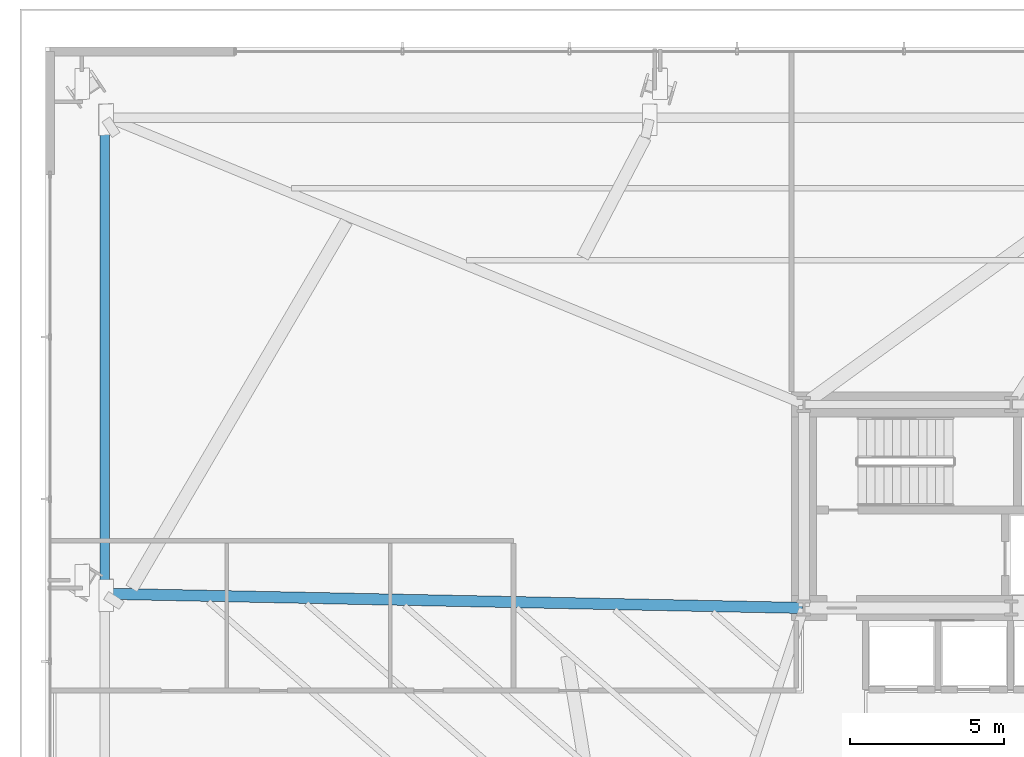
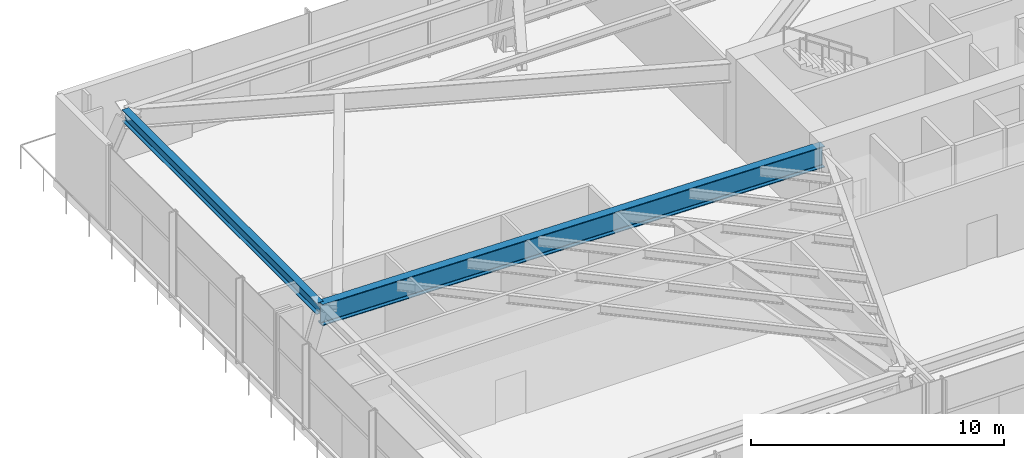
# One storey, part 9 of 36: 2 beams.
"""IFC4 building model written with IfcOpenShell, lengths in metres."""

import ifcopenshell
import ifcopenshell.guid

model = None  # the IFC model being written
_history = None  # IfcOwnerHistory: only IFC2X3 demands one
_inside = {}  # id of a spatial element -> (the spatial element, [elements in it])
_under = {}  # id of a project, library or spatial element -> (it, [spatial elements below it])
_declared = {}  # id of a project -> (the project, [libraries it declares])
_typed = {}  # id of a type object -> (the type object, [elements of that type])
_made_of = {}  # id of a material, layer set ... -> (it, [elements and type objects made of it])


def new_model(schema):
    """Start an empty IFC model of exactly this schema.

    Asked for "IFC4X3", IfcOpenShell would pick the latest addendum, in which some entities
    have other attributes; the version numbers below select the first issue.
    IFC2X3 requires an IfcOwnerHistory on every rooted entity: one is made here for all.
    """
    global model, _history
    if schema == "IFC4X3":
        model = ifcopenshell.file(schema_version=(4, 3, 0, 0))
    else:
        model = ifcopenshell.file(schema=schema)
    _inside.clear()
    _under.clear()
    _declared.clear()
    _typed.clear()
    _made_of.clear()
    _history = None
    if model.schema == "IFC2X3":
        org = make("IfcOrganization", Name="unknown")
        user = make(
            "IfcPersonAndOrganization",
            ThePerson=make("IfcPerson", FamilyName="unknown"),
            TheOrganization=org,
        )
        app = make(
            "IfcApplication",
            ApplicationDeveloper=org,
            Version="unknown",
            ApplicationFullName="unknown",
            ApplicationIdentifier="unknown",
        )
        _history = make(
            "IfcOwnerHistory",
            OwningUser=user,
            OwningApplication=app,
            ChangeAction="ADDED",
            CreationDate=0,
        )
    return model


def make(cls, **values):
    """One entity of the class cls with the attributes given. An attribute that is None is left unset."""
    return model.create_entity(
        cls, **{name: value for name, value in values.items() if value is not None}
    )


def rooted(cls, **values):
    """An entity with a GlobalId (a new one), such as an element, a storey or a relation."""
    return make(cls, GlobalId=ifcopenshell.guid.new(), OwnerHistory=_history, **values)


def si_unit(unit_type, name, prefix=None):
    """IfcSIUnit, for example si_unit("LENGTHUNIT", "METRE", prefix="MILLI")."""
    return make("IfcSIUnit", UnitType=unit_type, Prefix=prefix, Name=name)


def assignment(units):
    """IfcUnitAssignment: the units of a project."""
    return None if units is None else make("IfcUnitAssignment", Units=units)


def point(xyz):
    """IfcCartesianPoint."""
    return None if xyz is None else make("IfcCartesianPoint", Coordinates=xyz)


def direction(xyz):
    """IfcDirection."""
    return None if xyz is None else make("IfcDirection", DirectionRatios=xyz)


def frame(location, z_axis=None, x_axis=None):
    """IfcAxis2Placement3D, a coordinate frame: its origin and axes. An axis left out is left unset."""
    return make(
        "IfcAxis2Placement3D",
        Location=point(location),
        Axis=direction(z_axis),
        RefDirection=direction(x_axis),
    )


def frame_2d(location, x_axis=None):
    """IfcAxis2Placement2D, a coordinate frame in the plane: its origin and x axis."""
    return make(
        "IfcAxis2Placement2D", Location=point(location), RefDirection=direction(x_axis)
    )


def origin():
    """The frame at (0, 0, 0) with its axes left unset."""
    return frame((0.0, 0.0, 0.0))


def origin_2d():
    """The frame at (0, 0) in the plane with its x axis left unset."""
    return frame_2d((0.0, 0.0))


def place(relative_to, where):
    """IfcLocalPlacement: puts the frame where relative to a parent placement (None: the world)."""
    return make(
        "IfcLocalPlacement", PlacementRelTo=relative_to, RelativePlacement=where
    )


def context(
    kind, dimensions, precision=None, world=None, true_north=None, identifier=None
):
    """IfcGeometricRepresentationContext, for example the 3D "Model" context."""
    return make(
        "IfcGeometricRepresentationContext",
        ContextIdentifier=identifier,
        ContextType=kind,
        CoordinateSpaceDimension=dimensions,
        Precision=precision,
        WorldCoordinateSystem=world,
        TrueNorth=true_north,
    )


def subcontext(parent, identifier, kind, view, scale=None):
    """IfcGeometricRepresentationSubContext, for example "Body" below "Model"."""
    return make(
        "IfcGeometricRepresentationSubContext",
        ContextIdentifier=identifier,
        ContextType=kind,
        ParentContext=parent,
        TargetScale=scale,
        TargetView=view,
    )


def project(units=None, contexts=None):
    """IfcProject with its units and contexts."""
    return rooted(
        "IfcProject",
        Name="project",
        RepresentationContexts=contexts,
        UnitsInContext=assignment(units),
    )


def spatial(cls, under=None, at=None, **own):
    """A site, building, storey or space (cls), placed at a placement, below another one or the project."""
    s = rooted(cls, ObjectPlacement=at, **own)
    if under is not None:
        _under.setdefault(under.id(), (under, []))[1].append(s)
    return s


def profile(cls, at=None, kind="AREA", **sizes):
    """A parametric profile (cls). Its sizes go by their IFC names, for example OverallWidth=200.0."""
    return make(cls, ProfileType=kind, Position=at, **sizes)


def i_section(**sizes):
    """IfcIShapeProfileDef."""
    return profile("IfcIShapeProfileDef", **sizes)


def extrude(swept, where, along, depth):
    """IfcExtrudedAreaSolid: the profile swept, set in the frame where, extruded along a direction by depth."""
    return make(
        "IfcExtrudedAreaSolid",
        SweptArea=swept,
        Position=where,
        ExtrudedDirection=direction(along),
        Depth=depth,
    )


def shape(context_of_items, identifier, shape_type, items):
    """IfcShapeRepresentation: the items that make up one representation, for example the "Body"."""
    return make(
        "IfcShapeRepresentation",
        ContextOfItems=context_of_items,
        RepresentationIdentifier=identifier,
        RepresentationType=shape_type,
        Items=items,
    )


def source(mapping_origin, context_of_items, identifier, shape_type, items):
    """IfcRepresentationMap: a shape defined once, which mapped items show again and again."""
    return make(
        "IfcRepresentationMap",
        MappingOrigin=mapping_origin,
        MappedRepresentation=shape(context_of_items, identifier, shape_type, items),
    )


def transform(
    local_origin,
    x_axis=None,
    y_axis=None,
    z_axis=None,
    scale=None,
    scale2=None,
    scale3=None,
    uniform=True,
):
    """IfcCartesianTransformationOperator3D, or its non-uniform kind. x_axis, y_axis, z_axis: its Axis1, 2, 3."""
    if uniform:
        return make(
            "IfcCartesianTransformationOperator3D",
            Axis1=direction(x_axis),
            Axis2=direction(y_axis),
            LocalOrigin=point(local_origin),
            Scale=scale,
            Axis3=direction(z_axis),
        )
    return make(
        "IfcCartesianTransformationOperator3DnonUniform",
        Axis1=direction(x_axis),
        Axis2=direction(y_axis),
        LocalOrigin=point(local_origin),
        Scale=scale,
        Axis3=direction(z_axis),
        Scale2=scale2,
        Scale3=scale3,
    )


def mapped(mapping_source, mapping_target):
    """IfcMappedItem: shows the shape of a source again, moved by a transform."""
    return make(
        "IfcMappedItem", MappingSource=mapping_source, MappingTarget=mapping_target
    )


def material(Name=None, Category=None):
    """IfcMaterial."""
    return make("IfcMaterial", Name=Name, Category=Category)


def material_profile(
    of_material, cross_section, Name=None, Category=None, Priority=None
):
    """IfcMaterialProfile: a cross section and its material."""
    return make(
        "IfcMaterialProfile",
        Name=Name,
        Material=of_material,
        Profile=cross_section,
        Priority=Priority,
        Category=Category,
    )


def profile_set(profiles, Name=None, composite=None):
    """IfcMaterialProfileSet."""
    return make(
        "IfcMaterialProfileSet",
        Name=Name,
        MaterialProfiles=profiles,
        CompositeProfile=composite,
    )


def made_of(thing, what):
    """Note that an element or type object is made of a material, layer set ...; save() writes the relation."""
    if what is not None:
        _made_of.setdefault(what.id(), (what, []))[1].append(thing)
    return thing


def type_object(cls, material=None, **own):
    """A type object (cls), such as IfcWallType, which elements share."""
    return made_of(rooted(cls, **own), material)


def type_shapes(of_type, sources):
    """Give a type object the sources (RepresentationMaps) that its elements show as mapped items."""
    of_type.RepresentationMaps = sources


def element(
    cls,
    number,
    at=None,
    inside=None,
    cuts=None,
    type_object=None,
    material=None,
    context=None,
    identifier="Body",
    shape_type=None,
    held_by="IfcProductDefinitionShape",
    body=None,
    shapes=None,
    **own,
):
    """One element of the class cls, such as IfcWall. Its Tag is "e" and its number.

    at: its placement. inside: the storey or other place that contains it. cuts: it is an
    opening in that element (IfcRelVoidsElement). A single representation is given by context,
    identifier, shape_type and body (its items); several are given by shapes. held_by: the class
    of the entity that holds the representations. save() writes the other relations.
    """
    e = rooted(cls, Tag="e%d" % number, ObjectPlacement=at, **own)
    if body is not None:
        shapes = [shape(context, identifier, shape_type, body)]
    if shapes is not None:
        e.Representation = make(held_by, Representations=shapes)
    if inside is not None:
        _inside.setdefault(inside.id(), (inside, []))[1].append(e)
    if cuts is not None:
        rooted(
            "IfcRelVoidsElement", RelatingBuildingElement=cuts, RelatedOpeningElement=e
        )
    if type_object is not None:
        _typed.setdefault(type_object.id(), (type_object, []))[1].append(e)
    return made_of(e, material)


def aggregate(whole, parts):
    """IfcRelAggregates: a whole, such as a stair, and the parts it consists of."""
    return rooted("IfcRelAggregates", RelatingObject=whole, RelatedObjects=parts)


def save(model, path):
    """Write the relations noted so far, then the file.

    IfcRelAggregates (storeys below a building ...), IfcRelContainedInSpatialStructure (elements
    in a storey), IfcRelDefinesByType, IfcRelAssociatesMaterial and IfcRelDeclares: one each for
    every whole, place, type object, material and project.
    """
    for whole, parts in _under.values():
        aggregate(whole, parts)
    for where, things in _inside.values():
        rooted(
            "IfcRelContainedInSpatialStructure",
            RelatedElements=things,
            RelatingStructure=where,
        )
    for kind, things in _typed.values():
        rooted("IfcRelDefinesByType", RelatedObjects=things, RelatingType=kind)
    for what, things in _made_of.values():
        rooted("IfcRelAssociatesMaterial", RelatedObjects=things, RelatingMaterial=what)
    for by, libraries in _declared.values():
        rooted("IfcRelDeclares", RelatingContext=by, RelatedDefinitions=libraries)
    model.write(path)


model = new_model("IFC4")

# Units and contexts
model_context = context("Model", 3, precision=1e-05, world=origin(), true_north=direction((0.0, 1.0)))
body_context = subcontext(model_context, "Body", "Model", "MODEL_VIEW")
ifc_project = project(units=[si_unit("LENGTHUNIT", "METRE"), si_unit("AREAUNIT", "SQUARE_METRE"), si_unit("VOLUMEUNIT", "CUBIC_METRE"), si_unit("PLANEANGLEUNIT", "RADIAN"), si_unit("MASSUNIT", "GRAM", prefix="KILO")], contexts=[model_context])

# Site, building, storey
site_placement = place(None, origin())
site = spatial("IfcSite", under=ifc_project, at=site_placement, CompositionType="ELEMENT")
building_placement = place(site_placement, origin())
building = spatial("IfcBuilding", under=site, at=building_placement, Name="Astriad Promenade Condominiums", CompositionType="ELEMENT")
storey_placement = place(building_placement, frame((0.0, 0.0, 5.0)))
storey = spatial("IfcBuildingStorey", under=building, at=storey_placement, Name="L01", CompositionType="ELEMENT", Elevation=5.0)

# Beams
ifc_material = material(Name="Steel ASTM A992 Grade 50", Category="steel")
ifc_material_profile_1 = material_profile(ifc_material, i_section(OverallWidth=0.3134765625, OverallDepth=0.54638671875, WebThickness=0.013916015625, FlangeThickness=0.022216796875, FilletRadius=0.0166015625, at=origin_2d()), Name="W21X111")
ifc_profile_set_1 = profile_set([ifc_material_profile_1], Name="Steel ASTM A992 Grade 50")
beam_type_1 = type_object("IfcBeamType", Name="STEEL SPANDREL BEAM W21X111", PredefinedType="SPANDREL", material=ifc_profile_set_1)
shared_shape_1 = source(origin(), body_context, "Body", "SweptSolid", [
    extrude(i_section(OverallWidth=0.3134765625, OverallDepth=0.54638671875, WebThickness=0.013916015625, FlangeThickness=0.022216796875, FilletRadius=0.0166015625, at=origin_2d()), origin(), (0.0, 0.0, 1.0), 15.386962890625),
])
type_shapes(beam_type_1, [shared_shape_1])
beam_1_placement = place(storey_placement, frame((3.7265625, 33.260498046875, 3.806884765625), z_axis=(-1.586672e-05, -0.999999999874, 0.0), x_axis=(0.999999999874, -1.586672e-05, 0.0)))
element("IfcBeam", 1, at=beam_1_placement, inside=storey, type_object=beam_type_1, Name="Perimeter Spandrel Beam SP-W2-L01", PredefinedType="SPANDREL", context=body_context, shape_type="MappedRepresentation", body=[
    mapped(shared_shape_1, transform((0.0, 0.0, 0.0), scale=1.0)),
])
ifc_material_profile_2 = material_profile(ifc_material, i_section(OverallWidth=0.361083984375, OverallDepth=1.025634765625, WebThickness=0.01904296875, FlangeThickness=0.0361328125, FilletRadius=0.025390625, at=origin_2d()), Name="W40X249")
ifc_profile_set_2 = profile_set([ifc_material_profile_2], Name="Steel ASTM A992 Grade 50")
beam_type_2 = type_object("IfcBeamType", Name="STEEL PODIUM GIRDER W40X249", PredefinedType="BEAM", material=ifc_profile_set_2)
shared_shape_2 = source(origin(), body_context, "Body", "SweptSolid", [
    extrude(i_section(OverallWidth=0.361083984375, OverallDepth=1.025634765625, WebThickness=0.01904296875, FlangeThickness=0.0361328125, FilletRadius=0.025390625, at=origin_2d()), origin(), (0.0, 0.0, 1.0), 22.645263671875),
])
type_shapes(beam_type_2, [shared_shape_2])
beam_2_placement = place(storey_placement, frame((3.719482421875, 17.862060546875, 3.567138671875), z_axis=(0.999792603187, -0.020365426883, 0.0), x_axis=(0.020365426883, 0.999792603187, 0.0)))
element("IfcBeam", 2, at=beam_2_placement, inside=storey, type_object=beam_type_2, Name="Primary Floor Girder PG-WM-L01", PredefinedType="BEAM", context=body_context, shape_type="MappedRepresentation", body=[
    mapped(shared_shape_2, transform((0.0, 0.0, 0.0), scale=1.0)),
])

save(model, "model.ifc")
